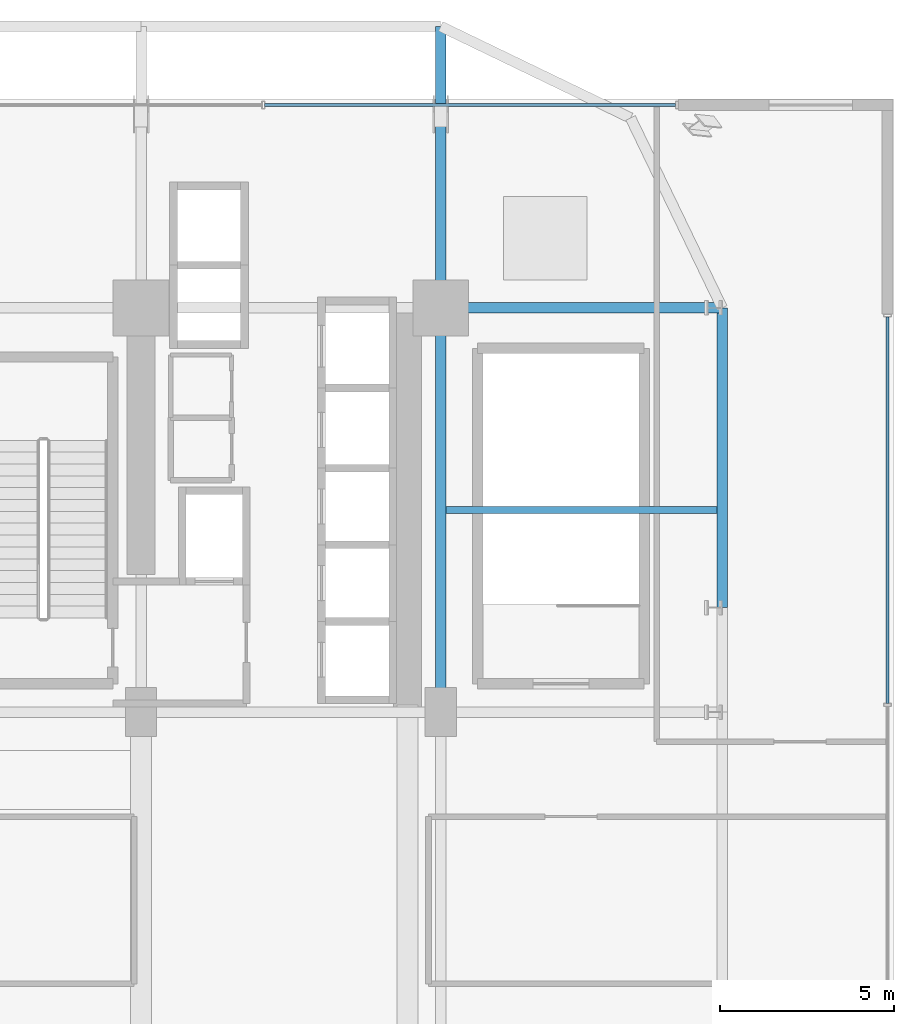
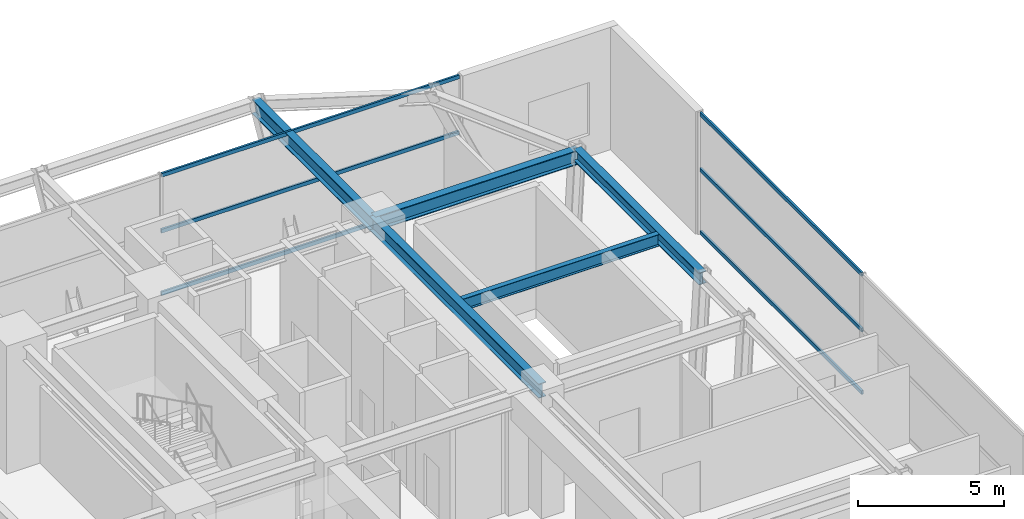
# One storey, part 17 of 29: 6 members, 5 beams, 2 elements without a shape of their own.
"""IFC4 building model written with IfcOpenShell, lengths in metres."""

import ifcopenshell
import ifcopenshell.guid

model = None  # the IFC model being written
_history = None  # IfcOwnerHistory: only IFC2X3 demands one
_inside = {}  # id of a spatial element -> (the spatial element, [elements in it])
_under = {}  # id of a project, library or spatial element -> (it, [spatial elements below it])
_declared = {}  # id of a project -> (the project, [libraries it declares])
_typed = {}  # id of a type object -> (the type object, [elements of that type])
_made_of = {}  # id of a material, layer set ... -> (it, [elements and type objects made of it])


def new_model(schema):
    """Start an empty IFC model of exactly this schema.

    Asked for "IFC4X3", IfcOpenShell would pick the latest addendum, in which some entities
    have other attributes; the version numbers below select the first issue.
    IFC2X3 requires an IfcOwnerHistory on every rooted entity: one is made here for all.
    """
    global model, _history
    if schema == "IFC4X3":
        model = ifcopenshell.file(schema_version=(4, 3, 0, 0))
    else:
        model = ifcopenshell.file(schema=schema)
    _inside.clear()
    _under.clear()
    _declared.clear()
    _typed.clear()
    _made_of.clear()
    _history = None
    if model.schema == "IFC2X3":
        org = make("IfcOrganization", Name="unknown")
        user = make(
            "IfcPersonAndOrganization",
            ThePerson=make("IfcPerson", FamilyName="unknown"),
            TheOrganization=org,
        )
        app = make(
            "IfcApplication",
            ApplicationDeveloper=org,
            Version="unknown",
            ApplicationFullName="unknown",
            ApplicationIdentifier="unknown",
        )
        _history = make(
            "IfcOwnerHistory",
            OwningUser=user,
            OwningApplication=app,
            ChangeAction="ADDED",
            CreationDate=0,
        )
    return model


def make(cls, **values):
    """One entity of the class cls with the attributes given. An attribute that is None is left unset."""
    return model.create_entity(
        cls, **{name: value for name, value in values.items() if value is not None}
    )


def rooted(cls, **values):
    """An entity with a GlobalId (a new one), such as an element, a storey or a relation."""
    return make(cls, GlobalId=ifcopenshell.guid.new(), OwnerHistory=_history, **values)


def si_unit(unit_type, name, prefix=None):
    """IfcSIUnit, for example si_unit("LENGTHUNIT", "METRE", prefix="MILLI")."""
    return make("IfcSIUnit", UnitType=unit_type, Prefix=prefix, Name=name)


def assignment(units):
    """IfcUnitAssignment: the units of a project."""
    return None if units is None else make("IfcUnitAssignment", Units=units)


def point(xyz):
    """IfcCartesianPoint."""
    return None if xyz is None else make("IfcCartesianPoint", Coordinates=xyz)


def direction(xyz):
    """IfcDirection."""
    return None if xyz is None else make("IfcDirection", DirectionRatios=xyz)


def frame(location, z_axis=None, x_axis=None):
    """IfcAxis2Placement3D, a coordinate frame: its origin and axes. An axis left out is left unset."""
    return make(
        "IfcAxis2Placement3D",
        Location=point(location),
        Axis=direction(z_axis),
        RefDirection=direction(x_axis),
    )


def frame_2d(location, x_axis=None):
    """IfcAxis2Placement2D, a coordinate frame in the plane: its origin and x axis."""
    return make(
        "IfcAxis2Placement2D", Location=point(location), RefDirection=direction(x_axis)
    )


def origin():
    """The frame at (0, 0, 0) with its axes left unset."""
    return frame((0.0, 0.0, 0.0))


def origin_2d():
    """The frame at (0, 0) in the plane with its x axis left unset."""
    return frame_2d((0.0, 0.0))


def place(relative_to, where):
    """IfcLocalPlacement: puts the frame where relative to a parent placement (None: the world)."""
    return make(
        "IfcLocalPlacement", PlacementRelTo=relative_to, RelativePlacement=where
    )


def context(
    kind, dimensions, precision=None, world=None, true_north=None, identifier=None
):
    """IfcGeometricRepresentationContext, for example the 3D "Model" context."""
    return make(
        "IfcGeometricRepresentationContext",
        ContextIdentifier=identifier,
        ContextType=kind,
        CoordinateSpaceDimension=dimensions,
        Precision=precision,
        WorldCoordinateSystem=world,
        TrueNorth=true_north,
    )


def subcontext(parent, identifier, kind, view, scale=None):
    """IfcGeometricRepresentationSubContext, for example "Body" below "Model"."""
    return make(
        "IfcGeometricRepresentationSubContext",
        ContextIdentifier=identifier,
        ContextType=kind,
        ParentContext=parent,
        TargetScale=scale,
        TargetView=view,
    )


def project(units=None, contexts=None):
    """IfcProject with its units and contexts."""
    return rooted(
        "IfcProject",
        Name="project",
        RepresentationContexts=contexts,
        UnitsInContext=assignment(units),
    )


def spatial(cls, under=None, at=None, **own):
    """A site, building, storey or space (cls), placed at a placement, below another one or the project."""
    s = rooted(cls, ObjectPlacement=at, **own)
    if under is not None:
        _under.setdefault(under.id(), (under, []))[1].append(s)
    return s


def profile(cls, at=None, kind="AREA", **sizes):
    """A parametric profile (cls). Its sizes go by their IFC names, for example OverallWidth=200.0."""
    return make(cls, ProfileType=kind, Position=at, **sizes)


def hollow_rectangle(**sizes):
    """IfcRectangleHollowProfileDef."""
    return profile("IfcRectangleHollowProfileDef", **sizes)


def i_section(**sizes):
    """IfcIShapeProfileDef."""
    return profile("IfcIShapeProfileDef", **sizes)


def extrude(swept, where, along, depth):
    """IfcExtrudedAreaSolid: the profile swept, set in the frame where, extruded along a direction by depth."""
    return make(
        "IfcExtrudedAreaSolid",
        SweptArea=swept,
        Position=where,
        ExtrudedDirection=direction(along),
        Depth=depth,
    )


def shape(context_of_items, identifier, shape_type, items):
    """IfcShapeRepresentation: the items that make up one representation, for example the "Body"."""
    return make(
        "IfcShapeRepresentation",
        ContextOfItems=context_of_items,
        RepresentationIdentifier=identifier,
        RepresentationType=shape_type,
        Items=items,
    )


def source(mapping_origin, context_of_items, identifier, shape_type, items):
    """IfcRepresentationMap: a shape defined once, which mapped items show again and again."""
    return make(
        "IfcRepresentationMap",
        MappingOrigin=mapping_origin,
        MappedRepresentation=shape(context_of_items, identifier, shape_type, items),
    )


def transform(
    local_origin,
    x_axis=None,
    y_axis=None,
    z_axis=None,
    scale=None,
    scale2=None,
    scale3=None,
    uniform=True,
):
    """IfcCartesianTransformationOperator3D, or its non-uniform kind. x_axis, y_axis, z_axis: its Axis1, 2, 3."""
    if uniform:
        return make(
            "IfcCartesianTransformationOperator3D",
            Axis1=direction(x_axis),
            Axis2=direction(y_axis),
            LocalOrigin=point(local_origin),
            Scale=scale,
            Axis3=direction(z_axis),
        )
    return make(
        "IfcCartesianTransformationOperator3DnonUniform",
        Axis1=direction(x_axis),
        Axis2=direction(y_axis),
        LocalOrigin=point(local_origin),
        Scale=scale,
        Axis3=direction(z_axis),
        Scale2=scale2,
        Scale3=scale3,
    )


def mapped(mapping_source, mapping_target):
    """IfcMappedItem: shows the shape of a source again, moved by a transform."""
    return make(
        "IfcMappedItem", MappingSource=mapping_source, MappingTarget=mapping_target
    )


def material(Name=None, Category=None):
    """IfcMaterial."""
    return make("IfcMaterial", Name=Name, Category=Category)


def material_profile(
    of_material, cross_section, Name=None, Category=None, Priority=None
):
    """IfcMaterialProfile: a cross section and its material."""
    return make(
        "IfcMaterialProfile",
        Name=Name,
        Material=of_material,
        Profile=cross_section,
        Priority=Priority,
        Category=Category,
    )


def profile_set(profiles, Name=None, composite=None):
    """IfcMaterialProfileSet."""
    return make(
        "IfcMaterialProfileSet",
        Name=Name,
        MaterialProfiles=profiles,
        CompositeProfile=composite,
    )


def made_of(thing, what):
    """Note that an element or type object is made of a material, layer set ...; save() writes the relation."""
    if what is not None:
        _made_of.setdefault(what.id(), (what, []))[1].append(thing)
    return thing


def type_object(cls, material=None, **own):
    """A type object (cls), such as IfcWallType, which elements share."""
    return made_of(rooted(cls, **own), material)


def element(
    cls,
    number,
    at=None,
    inside=None,
    cuts=None,
    type_object=None,
    material=None,
    context=None,
    identifier="Body",
    shape_type=None,
    held_by="IfcProductDefinitionShape",
    body=None,
    shapes=None,
    **own,
):
    """One element of the class cls, such as IfcWall. Its Tag is "e" and its number.

    at: its placement. inside: the storey or other place that contains it. cuts: it is an
    opening in that element (IfcRelVoidsElement). A single representation is given by context,
    identifier, shape_type and body (its items); several are given by shapes. held_by: the class
    of the entity that holds the representations. save() writes the other relations.
    """
    e = rooted(cls, Tag="e%d" % number, ObjectPlacement=at, **own)
    if body is not None:
        shapes = [shape(context, identifier, shape_type, body)]
    if shapes is not None:
        e.Representation = make(held_by, Representations=shapes)
    if inside is not None:
        _inside.setdefault(inside.id(), (inside, []))[1].append(e)
    if cuts is not None:
        rooted(
            "IfcRelVoidsElement", RelatingBuildingElement=cuts, RelatedOpeningElement=e
        )
    if type_object is not None:
        _typed.setdefault(type_object.id(), (type_object, []))[1].append(e)
    return made_of(e, material)


def aggregate(whole, parts):
    """IfcRelAggregates: a whole, such as a stair, and the parts it consists of."""
    return rooted("IfcRelAggregates", RelatingObject=whole, RelatedObjects=parts)


def save(model, path):
    """Write the relations noted so far, then the file.

    IfcRelAggregates (storeys below a building ...), IfcRelContainedInSpatialStructure (elements
    in a storey), IfcRelDefinesByType, IfcRelAssociatesMaterial and IfcRelDeclares: one each for
    every whole, place, type object, material and project.
    """
    for whole, parts in _under.values():
        aggregate(whole, parts)
    for where, things in _inside.values():
        rooted(
            "IfcRelContainedInSpatialStructure",
            RelatedElements=things,
            RelatingStructure=where,
        )
    for kind, things in _typed.values():
        rooted("IfcRelDefinesByType", RelatedObjects=things, RelatingType=kind)
    for what, things in _made_of.values():
        rooted("IfcRelAssociatesMaterial", RelatedObjects=things, RelatingMaterial=what)
    for by, libraries in _declared.values():
        rooted("IfcRelDeclares", RelatingContext=by, RelatedDefinitions=libraries)
    model.write(path)


model = new_model("IFC4")

# Units and contexts
model_context = context("Model", 3, precision=1e-05, world=origin(), true_north=direction((0.0, 1.0)))
body_context = subcontext(model_context, "Body", "Model", "MODEL_VIEW")
ifc_project = project(units=[si_unit("LENGTHUNIT", "METRE"), si_unit("AREAUNIT", "SQUARE_METRE"), si_unit("VOLUMEUNIT", "CUBIC_METRE"), si_unit("PLANEANGLEUNIT", "RADIAN"), si_unit("MASSUNIT", "GRAM", prefix="KILO")], contexts=[model_context])

# Site, building, storey
site_placement = place(None, origin())
site = spatial("IfcSite", under=ifc_project, at=site_placement, CompositionType="ELEMENT")
building_placement = place(site_placement, origin())
building = spatial("IfcBuilding", under=site, at=building_placement, Name="Nahalor Promenade Grand Hotel", CompositionType="ELEMENT")
storey_placement = place(building_placement, frame((0.0, 0.0, 27.0)))
storey = spatial("IfcBuildingStorey", under=building, at=storey_placement, Name="L05", CompositionType="ELEMENT", Elevation=27.0)

# Beams
ifc_material_1 = material(Name="Steel S355JR", Category="steel")
ifc_material_profile_1 = material_profile(ifc_material_1, i_section(OverallWidth=0.3, OverallDepth=0.6, WebThickness=0.0155, FlangeThickness=0.03, at=origin_2d()), Name="HEB 600")
ifc_profile_set_1 = profile_set([ifc_material_profile_1], Name="Steel S355JR")
beam_type_1 = type_object("IfcBeamType", Name="Beam-Girder-HEB600", PredefinedType="BEAM", material=ifc_profile_set_1)
shared_shape_1 = source(origin(), body_context, "Body", "SweptSolid", [
    extrude(i_section(OverallWidth=0.3, OverallDepth=0.6, WebThickness=0.0155, FlangeThickness=0.03, at=origin_2d()), origin(), (0.0, 0.0, 1.0), 11.60009765625),
])
beam_1_placement = place(storey_placement, frame((17.0, 5.39990234375, 4.820068359375), z_axis=(0.0, 1.0, 0.0), x_axis=(-1.0, 0.0, 0.0)))
element("IfcBeam", 1, at=beam_1_placement, inside=storey, type_object=beam_type_1, Name="BM-L05-GY-5-3", PredefinedType="BEAM", context=body_context, shape_type="MappedRepresentation", body=[
    mapped(shared_shape_1, transform((0.0, 0.0, 0.0), scale=1.0)),
])
ifc_material_profile_2 = material_profile(ifc_material_1, i_section(OverallWidth=0.3, OverallDepth=0.5, WebThickness=0.0145, FlangeThickness=0.028, at=origin_2d()), Name="HEB 500")
ifc_profile_set_2 = profile_set([ifc_material_profile_2], Name="Steel S355JR")
beam_type_2 = type_object("IfcBeamType", Name="Beam-Spandrel-HEB500", PredefinedType="SPANDREL", material=ifc_profile_set_2)
shared_shape_2 = source(origin(), body_context, "Body", "SweptSolid", [
    extrude(i_section(OverallWidth=0.3, OverallDepth=0.5, WebThickness=0.0145, FlangeThickness=0.028, at=origin_2d()), origin(), (0.0, 0.0, 1.0), 8.60009765625),
])
beam_2_placement = place(storey_placement, frame((25.080078125, 8.39990234375, 4.8701171875), z_axis=(0.0, 1.0, 0.0), x_axis=(-1.0, 0.0, 0.0)))
element("IfcBeam", 2, at=beam_2_placement, inside=storey, type_object=beam_type_2, Name="BM-L05-SP-E-4", PredefinedType="SPANDREL", context=body_context, shape_type="MappedRepresentation", body=[
    mapped(shared_shape_2, transform((0.0, 0.0, 0.0), scale=1.0)),
])
shared_shape_3 = source(origin(), body_context, "Body", "SweptSolid", [
    extrude(i_section(OverallWidth=0.3, OverallDepth=0.6, WebThickness=0.0155, FlangeThickness=0.03, at=origin_2d()), origin(), (0.0, 0.0, 1.0), 8.080078125),
])
for number, where, z_axis, x_axis, name in (
    (3, (17.0, 17.0, 4.820068359375), (1.0, 0.0, 0.0), (0.0, 1.0, 0.0), "BM-L05-GX-3-6"),
    (4, (17.0, 17.0, 4.820068359375), (0.0, 1.0, 0.0), (-1.0, 0.0, 0.0), "BM-L05-GY-5-4"),
):
    element("IfcBeam", number, at=place(storey_placement, frame(where, z_axis=z_axis, x_axis=x_axis)), inside=storey, type_object=beam_type_1, Name=name, PredefinedType="BEAM", context=body_context, shape_type="MappedRepresentation", body=[
        mapped(shared_shape_3, transform((0.0, 0.0, 0.0), scale=1.0)),
    ])
ifc_material_profile_3 = material_profile(ifc_material_1, i_section(OverallWidth=0.2, OverallDepth=0.5, WebThickness=0.0102, FlangeThickness=0.016, at=origin_2d()), Name="IPE 500")
ifc_profile_set_3 = profile_set([ifc_material_profile_3], Name="Steel S355JR")
beam_type_3 = type_object("IfcBeamType", Name="Beam-Joist-IPE500", PredefinedType="JOIST", material=ifc_profile_set_3)
shared_shape_4 = source(origin(), body_context, "Body", "SweptSolid", [
    extrude(i_section(OverallWidth=0.2, OverallDepth=0.5, WebThickness=0.0102, FlangeThickness=0.016, at=origin_2d()), origin(), (0.0, 0.0, 1.0), 7.780029296875),
])
beam_3_placement = place(storey_placement, frame((17.14990234375, 11.199951171875, 4.8701171875), z_axis=(1.0, 0.0, 0.0), x_axis=(0.0, 1.0, 0.0)))
element("IfcBeam", 5, at=beam_3_placement, inside=storey, type_object=beam_type_3, Name="BM-L05-JSE-1-2", PredefinedType="JOIST", context=body_context, shape_type="MappedRepresentation", body=[
    mapped(shared_shape_4, transform((0.0, 0.0, 0.0), scale=1.0)),
])

# Curtain wall, members
ifc_material_2 = material(Name="Anodised Bronze Aluminium EN AW-6063 T6", Category="aluminium")
curtain_wall_type = type_object("IfcCurtainWallType", Name="CW1 Waterfront Podium Bronze Arcade Curtain Wall", PredefinedType="USERDEFINED", material=ifc_material_2)
curtain_wall_1_placement = place(storey_placement, origin())
curtain_wall_1 = element("IfcCurtainWall", 6, at=curtain_wall_1_placement, inside=storey, type_object=curtain_wall_type, Name="L05 Curtain Wall CW-L05-N", ObjectType="UNITISED_CURTAIN_WALL", PredefinedType="USERDEFINED")
ifc_material_profile_4 = material_profile(ifc_material_2, hollow_rectangle(XDim=0.08, YDim=0.16, WallThickness=0.004, at=origin_2d()), Name="CWT 80x160x4")
ifc_profile_set_4 = profile_set([ifc_material_profile_4], Name="Anodised Bronze Aluminium EN AW-6063 T6")
member_type = type_object("IfcMemberType", Name="CWT1 Podium Bronze Transom 80x160", PredefinedType="USERDEFINED", material=ifc_profile_set_4)
shared_shape_5 = source(origin(), body_context, "Body", "SweptSolid", [
    extrude(hollow_rectangle(XDim=0.08, YDim=0.16, WallThickness=0.004, at=origin_2d()), origin(), (0.0, 0.0, 1.0), 11.7900390625),
])
member_1_placement = place(storey_placement, frame((11.949951171875, 22.820068359375, 0.080078125), z_axis=(1.0, 0.0, 0.0), x_axis=(0.0, 1.0, 0.0)))
member_1 = element("IfcMember", 7, at=member_1_placement, type_object=member_type, Name="CW-L05-N Transom 3-0", ObjectType="TRANSOM", PredefinedType="USERDEFINED", context=body_context, shape_type="MappedRepresentation", body=[
    mapped(shared_shape_5, transform((0.0, 0.0, 0.0), scale=1.0)),
])
member_2_placement = place(storey_placement, frame((11.949951171875, 22.820068359375, 2.699951171875), z_axis=(1.0, 0.0, 0.0), x_axis=(0.0, 1.0, 0.0)))
member_2 = element("IfcMember", 8, at=member_2_placement, type_object=member_type, Name="CW-L05-N Transom 3-1", ObjectType="TRANSOM", PredefinedType="USERDEFINED", context=body_context, shape_type="MappedRepresentation", body=[
    mapped(shared_shape_5, transform((0.0, 0.0, 0.0), scale=1.0)),
])
member_3_placement = place(storey_placement, frame((11.949951171875, 22.820068359375, 5.0400390625), z_axis=(1.0, 0.0, 0.0), x_axis=(0.0, 1.0, 0.0)))
member_3 = element("IfcMember", 9, at=member_3_placement, type_object=member_type, Name="CW-L05-N Transom 3-2", ObjectType="TRANSOM", PredefinedType="USERDEFINED", context=body_context, shape_type="MappedRepresentation", body=[
    mapped(shared_shape_5, transform((0.0, 0.0, 0.0), scale=1.0)),
])
aggregate(curtain_wall_1, [member_1, member_2, member_3])

curtain_wall_2_placement = place(storey_placement, origin())
curtain_wall_2 = element("IfcCurtainWall", 10, at=curtain_wall_2_placement, inside=storey, type_object=curtain_wall_type, Name="L05 Curtain Wall CW-L05-E", ObjectType="UNITISED_CURTAIN_WALL", PredefinedType="USERDEFINED")
shared_shape_6 = source(origin(), body_context, "Body", "SweptSolid", [
    extrude(hollow_rectangle(XDim=0.08, YDim=0.16, WallThickness=0.004, at=origin_2d()), origin(), (0.0, 0.0, 1.0), 11.09326171875),
])
member_4_placement = place(storey_placement, frame((29.820068359375, 5.646728515625, 0.080078125), z_axis=(0.0, 1.0, 0.0), x_axis=(-1.0, 0.0, 0.0)))
member_4 = element("IfcMember", 11, at=member_4_placement, type_object=member_type, Name="CW-L05-E Transom 2-0", ObjectType="TRANSOM", PredefinedType="USERDEFINED", context=body_context, shape_type="MappedRepresentation", body=[
    mapped(shared_shape_6, transform((0.0, 0.0, 0.0), scale=1.0)),
])
member_5_placement = place(storey_placement, frame((29.820068359375, 5.646728515625, 2.699951171875), z_axis=(0.0, 1.0, 0.0), x_axis=(-1.0, 0.0, 0.0)))
member_5 = element("IfcMember", 12, at=member_5_placement, type_object=member_type, Name="CW-L05-E Transom 2-1", ObjectType="TRANSOM", PredefinedType="USERDEFINED", context=body_context, shape_type="MappedRepresentation", body=[
    mapped(shared_shape_6, transform((0.0, 0.0, 0.0), scale=1.0)),
])
member_6_placement = place(storey_placement, frame((29.820068359375, 5.646728515625, 5.0400390625), z_axis=(0.0, 1.0, 0.0), x_axis=(-1.0, 0.0, 0.0)))
member_6 = element("IfcMember", 13, at=member_6_placement, type_object=member_type, Name="CW-L05-E Transom 2-2", ObjectType="TRANSOM", PredefinedType="USERDEFINED", context=body_context, shape_type="MappedRepresentation", body=[
    mapped(shared_shape_6, transform((0.0, 0.0, 0.0), scale=1.0)),
])
aggregate(curtain_wall_2, [member_4, member_5, member_6])

save(model, "model.ifc")
